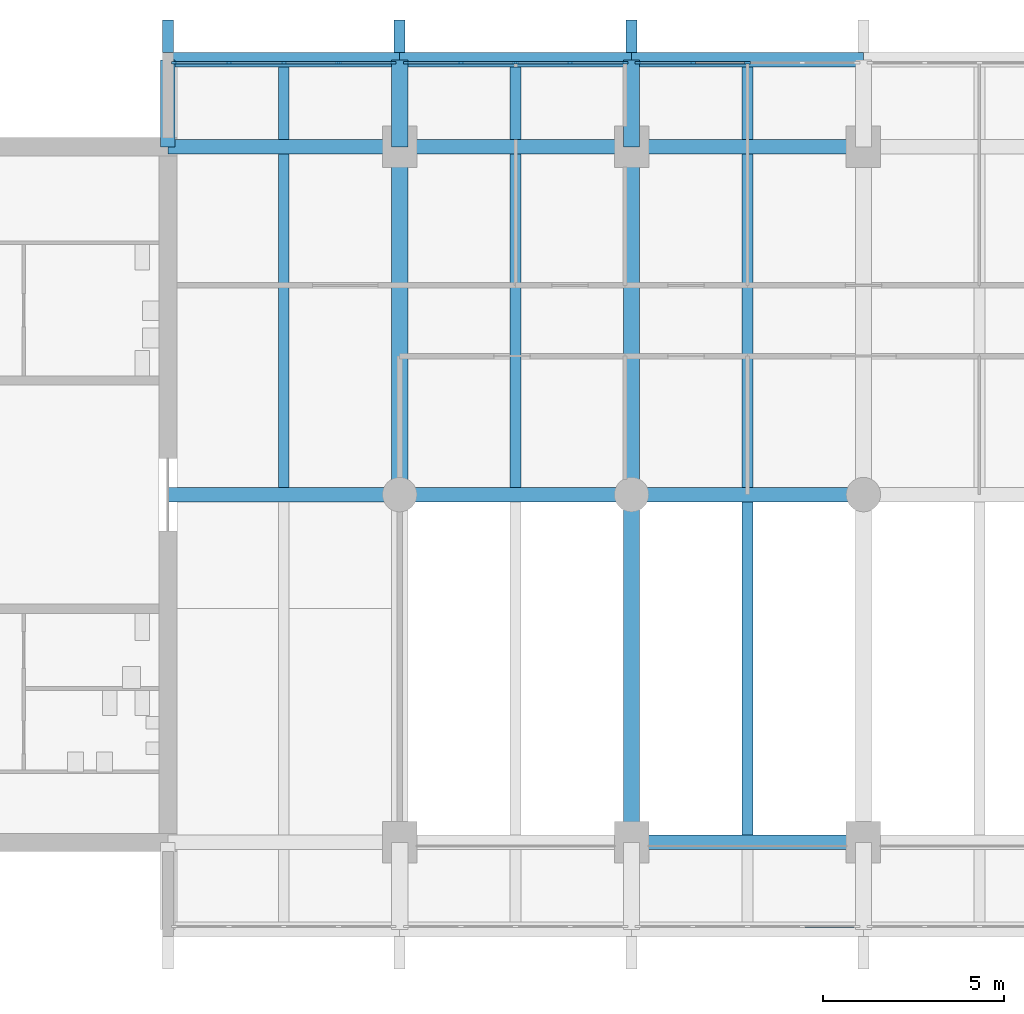
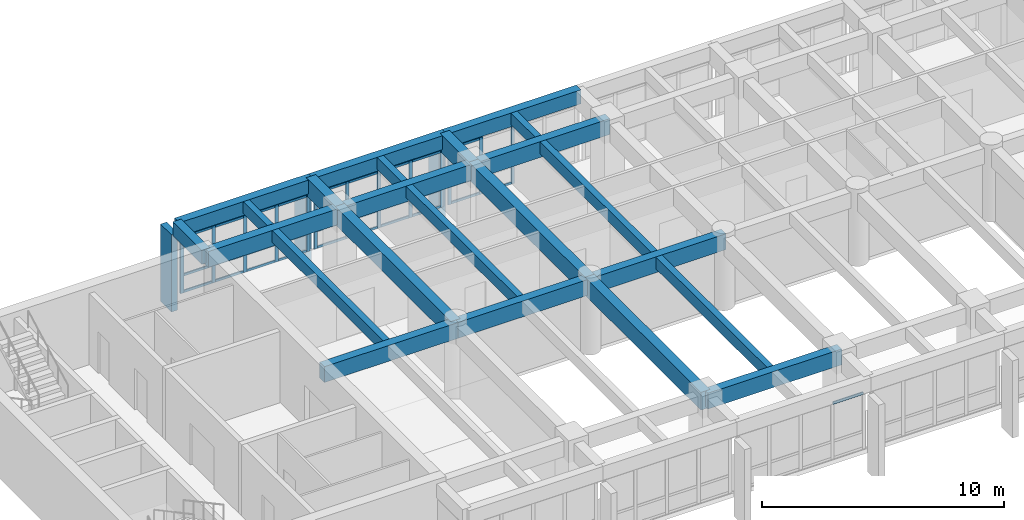
# One storey, part 3 of 15: 45 members, 23 beams, 4 elements without a shape of their own.
"""IFC4 building model written with IfcOpenShell, lengths in metres."""

from ifc_helpers import new_model, si_unit, direction, frame, origin, origin_2d, place, context, subcontext, project, spatial, rectangle, extrude, material, layer, layer_set, material_profile, profile_set, type_object, element, aggregate, save


model = new_model("IFC4")

# Units and contexts
model_context = context("Model", 3, precision=1e-05, world=origin(), true_north=direction((0.0, 1.0)))
body_context = subcontext(model_context, "Body", "Model", "MODEL_VIEW")
ifc_project = project(units=[si_unit("LENGTHUNIT", "METRE"), si_unit("AREAUNIT", "SQUARE_METRE"), si_unit("VOLUMEUNIT", "CUBIC_METRE"), si_unit("PLANEANGLEUNIT", "RADIAN"), si_unit("MASSUNIT", "GRAM", prefix="KILO")], contexts=[model_context])

# Site, building, storey
site_placement = place(None, origin())
site = spatial("IfcSite", under=ifc_project, at=site_placement, CompositionType="ELEMENT")
building_placement = place(site_placement, origin())
building = spatial("IfcBuilding", under=site, at=building_placement, Name="Fogon Plaza Fire Station and Headquarters Tower", CompositionType="ELEMENT")
storey_placement = place(building_placement, frame((0.0, 0.0, 36.60009765625)))
storey = spatial("IfcBuildingStorey", under=building, at=storey_placement, Name="L09", CompositionType="ELEMENT", Elevation=36.60009765625)

# Beams
ifc_material_1 = material(Name="Concrete C40", Category="concrete")
ifc_material_profile_1 = material_profile(ifc_material_1, rectangle(XDim=0.39990234375, YDim=0.699951171875, at=origin_2d()), Name="RC 400x700")
ifc_profile_set_1 = profile_set([ifc_material_profile_1], Name="Concrete C40")
beam_type_1 = type_object("IfcBeamType", Name="BEAM RC 400x700", PredefinedType="BEAM", material=ifc_profile_set_1)
for number, where, z_axis, x_axis, name in (
    (1, (25.60009765625, 55.199951171875, 3.329833984375), (1.0, 0.0, 0.0), (0.0, 1.0, 0.0), "beam-L09-045"),
    (2, (32.0, 55.199951171875, 3.329833984375), (1.0, 0.0, 0.0), (0.0, 1.0, 0.0), "beam-L09-046"),
):
    element("IfcBeam", number, at=place(storey_placement, frame(where, z_axis=z_axis, x_axis=x_axis)), inside=storey, type_object=beam_type_1, Name=name, PredefinedType="BEAM", context=body_context, shape_type="SweptSolid", body=[
        extrude(rectangle(XDim=0.39990234375, YDim=0.699951171875, at=origin_2d()), origin(), (0.0, 0.0, 1.0), 6.39990234375),
    ])
beam_1_placement = place(storey_placement, frame((38.39990234375, 55.199951171875, 3.329833984375), z_axis=(1.0, 0.0, 0.0), x_axis=(0.0, 1.0, 0.0)))
element("IfcBeam", 3, at=beam_1_placement, inside=storey, type_object=beam_type_1, Name="beam-L09-047", PredefinedType="BEAM", context=body_context, shape_type="SweptSolid", body=[
    extrude(rectangle(XDim=0.39990234375, YDim=0.699951171875, at=origin_2d()), origin(), (0.0, 0.0, 1.0), 6.400146484375),
])
ifc_material_2 = material(Name="Concrete C40", Category="concrete")
ifc_material_profile_2 = material_profile(ifc_material_2, rectangle(XDim=0.39990234375, YDim=0.699951171875, at=origin_2d()), Name="RC 400x700")
ifc_profile_set_2 = profile_set([ifc_material_profile_2], Name="Concrete C40")
beam_type_2 = type_object("IfcBeamType", Name="BEAM RC 400x700 SPAN 0.0 TO 3.0 M", PredefinedType="BEAM", material=ifc_profile_set_2)
beam_2_placement = place(storey_placement, frame((25.60009765625, 52.800048828125, 3.329833984375), z_axis=(0.0, 1.0, 0.0), x_axis=(-1.0, 0.0, 0.0)))
element("IfcBeam", 4, at=beam_2_placement, inside=storey, type_object=beam_type_2, Name="beam-L09-052", PredefinedType="BEAM", context=body_context, shape_type="SweptSolid", body=[
    extrude(rectangle(XDim=0.39990234375, YDim=0.699951171875, at=origin_2d()), origin(), (0.0, 0.0, 1.0), 2.39990234375),
])
ifc_material_3 = material(Name="Concrete C40", Category="concrete")
ifc_material_profile_3 = material_profile(ifc_material_3, rectangle(XDim=0.39990234375, YDim=0.800048828125, at=origin_2d()), Name="RC 400x800")
ifc_profile_set_3 = profile_set([ifc_material_profile_3], Name="Concrete C40")
beam_type_3 = type_object("IfcBeamType", Name="BEAM RC 400x800", PredefinedType="BEAM", material=ifc_profile_set_3)
beam_3_placement = place(storey_placement, frame((38.39990234375, 33.60009765625, 3.27978515625), z_axis=(1.0, 0.0, 0.0), x_axis=(0.0, 1.0, 0.0)))
element("IfcBeam", 5, at=beam_3_placement, inside=storey, type_object=beam_type_3, Name="beam-L09-023", PredefinedType="BEAM", context=body_context, shape_type="SweptSolid", body=[
    extrude(rectangle(XDim=0.39990234375, YDim=0.800048828125, at=origin_2d()), origin(), (0.0, 0.0, 1.0), 6.400146484375),
])
for number, where, z_axis, x_axis, name in (
    (6, (25.60009765625, 43.199951171875, 3.27978515625), (1.0, 0.0, 0.0), (0.0, 1.0, 0.0), "beam-L09-027"),
    (7, (32.0, 43.199951171875, 3.27978515625), (1.0, 0.0, 0.0), (0.0, 1.0, 0.0), "beam-L09-028"),
):
    element("IfcBeam", number, at=place(storey_placement, frame(where, z_axis=z_axis, x_axis=x_axis)), inside=storey, type_object=beam_type_3, Name=name, PredefinedType="BEAM", context=body_context, shape_type="SweptSolid", body=[
        extrude(rectangle(XDim=0.39990234375, YDim=0.800048828125, at=origin_2d()), origin(), (0.0, 0.0, 1.0), 6.39990234375),
    ])
beam_4_placement = place(storey_placement, frame((38.39990234375, 43.199951171875, 3.27978515625), z_axis=(1.0, 0.0, 0.0), x_axis=(0.0, 1.0, 0.0)))
element("IfcBeam", 8, at=beam_4_placement, inside=storey, type_object=beam_type_3, Name="beam-L09-029", PredefinedType="BEAM", context=body_context, shape_type="SweptSolid", body=[
    extrude(rectangle(XDim=0.39990234375, YDim=0.800048828125, at=origin_2d()), origin(), (0.0, 0.0, 1.0), 6.400146484375),
])
for number, where, z_axis, x_axis, name in (
    (9, (25.60009765625, 52.800048828125, 3.27978515625), (1.0, 0.0, 0.0), (0.0, 1.0, 0.0), "beam-L09-033"),
    (10, (32.0, 52.800048828125, 3.27978515625), (1.0, 0.0, 0.0), (0.0, 1.0, 0.0), "beam-L09-034"),
):
    element("IfcBeam", number, at=place(storey_placement, frame(where, z_axis=z_axis, x_axis=x_axis)), inside=storey, type_object=beam_type_3, Name=name, PredefinedType="BEAM", context=body_context, shape_type="SweptSolid", body=[
        extrude(rectangle(XDim=0.39990234375, YDim=0.800048828125, at=origin_2d()), origin(), (0.0, 0.0, 1.0), 6.39990234375),
    ])
beam_5_placement = place(storey_placement, frame((38.39990234375, 52.800048828125, 3.27978515625), z_axis=(1.0, 0.0, 0.0), x_axis=(0.0, 1.0, 0.0)))
element("IfcBeam", 11, at=beam_5_placement, inside=storey, type_object=beam_type_3, Name="beam-L09-035", PredefinedType="BEAM", context=body_context, shape_type="SweptSolid", body=[
    extrude(rectangle(XDim=0.39990234375, YDim=0.800048828125, at=origin_2d()), origin(), (0.0, 0.0, 1.0), 6.400146484375),
])
ifc_material_4 = material(Name="Concrete C40", Category="concrete")
ifc_material_profile_4 = material_profile(ifc_material_4, rectangle(XDim=0.449951171875, YDim=0.89990234375, at=origin_2d()), Name="RC 450x900")
ifc_profile_set_4 = profile_set([ifc_material_profile_4], Name="Concrete C40")
beam_type_4 = type_object("IfcBeamType", Name="BEAM RC 450x900", PredefinedType="BEAM", material=ifc_profile_set_4)
beam_6_placement = place(storey_placement, frame((32.0, 43.199951171875, 3.22998046875), z_axis=(0.0, 1.0, 0.0), x_axis=(-1.0, 0.0, 0.0)))
element("IfcBeam", 12, at=beam_6_placement, inside=storey, type_object=beam_type_4, Name="beam-L09-003", PredefinedType="BEAM", context=body_context, shape_type="SweptSolid", body=[
    extrude(rectangle(XDim=0.449951171875, YDim=0.89990234375, at=origin_2d()), origin(), (0.0, 0.0, 1.0), 9.60009765625),
])
beam_7_placement = place(storey_placement, frame((38.39990234375, 33.60009765625, 3.22998046875), z_axis=(0.0, 1.0, 0.0), x_axis=(-1.0, 0.0, 0.0)))
element("IfcBeam", 13, at=beam_7_placement, inside=storey, type_object=beam_type_4, Name="beam-L09-006", PredefinedType="BEAM", context=body_context, shape_type="SweptSolid", body=[
    extrude(rectangle(XDim=0.449951171875, YDim=0.89990234375, at=origin_2d()), origin(), (0.0, 0.0, 1.0), 9.599853515625),
])
beam_8_placement = place(storey_placement, frame((38.39990234375, 43.199951171875, 3.22998046875), z_axis=(0.0, 1.0, 0.0), x_axis=(-1.0, 0.0, 0.0)))
element("IfcBeam", 14, at=beam_8_placement, inside=storey, type_object=beam_type_4, Name="beam-L09-007", PredefinedType="BEAM", context=body_context, shape_type="SweptSolid", body=[
    extrude(rectangle(XDim=0.449951171875, YDim=0.89990234375, at=origin_2d()), origin(), (0.0, 0.0, 1.0), 9.60009765625),
])
ifc_material_5 = material(Name="Concrete C40", Category="concrete")
ifc_material_profile_5 = material_profile(ifc_material_5, rectangle(XDim=0.449951171875, YDim=0.89990234375, at=origin_2d()), Name="RC 450x900")
ifc_profile_set_5 = profile_set([ifc_material_profile_5], Name="Concrete C40")
beam_type_5 = type_object("IfcBeamType", Name="BEAM RC 450x900 SPAN 0.0 TO 3.0 M", PredefinedType="BEAM", material=ifc_profile_set_5)
for number, where, z_axis, x_axis, name in (
    (15, (32.0, 52.800048828125, 3.22998046875), (0.0, 1.0, 0.0), (-1.0, 0.0, 0.0), "beam-L09-004"),
    (16, (38.39990234375, 52.800048828125, 3.22998046875), (0.0, 1.0, 0.0), (-1.0, 0.0, 0.0), "beam-L09-008"),
):
    element("IfcBeam", number, at=place(storey_placement, frame(where, z_axis=z_axis, x_axis=x_axis)), inside=storey, type_object=beam_type_5, Name=name, PredefinedType="BEAM", context=body_context, shape_type="SweptSolid", body=[
        extrude(rectangle(XDim=0.449951171875, YDim=0.89990234375, at=origin_2d()), origin(), (0.0, 0.0, 1.0), 2.39990234375),
    ])

# Curtain wall, members
ifc_material_6 = material(Name="Aluminium and glass", Category="aluminium")
ifc_layer = layer(ifc_material_6, 0.14990234375)
ifc_layer_set = layer_set([ifc_layer], Name="Aluminium and glass")
curtain_wall_type = type_object("IfcCurtainWallType", Name="Unitised Curtain Wall Run 6100x2880", PredefinedType="NOTDEFINED", material=ifc_layer_set)
curtain_wall_1_placement = place(storey_placement, origin())
curtain_wall_1 = element("IfcCurtainWall", 17, at=curtain_wall_1_placement, inside=storey, type_object=curtain_wall_type, Name="CW-6100x2880 N1 L09", PredefinedType="NOTDEFINED")
ifc_material_7 = material(Name="Aluminium", Category="aluminium")
ifc_material_profile_6 = material_profile(ifc_material_7, rectangle(XDim=0.06005859375, YDim=0.159912109375, at=origin_2d()), Name="Curtain Wall Mullion 60x160")
ifc_profile_set_6 = profile_set([ifc_material_profile_6], Name="Aluminium")
member_type_1 = type_object("IfcMemberType", Name="Curtain Wall Mullion 60x160", PredefinedType="MULLION", material=ifc_profile_set_6)
member_1_placement = place(storey_placement, frame((25.780029296875, 55.1201171875, 0.0), z_axis=(0.0, 0.0, 1.0), x_axis=(0.0, 1.0, 0.0)))
member_1 = element("IfcMember", 18, at=member_1_placement, type_object=member_type_1, Name="CW-6100x2880 mullion 1", PredefinedType="MULLION", context=body_context, shape_type="SweptSolid", body=[
    extrude(rectangle(XDim=0.06005859375, YDim=0.159912109375, at=origin_2d()), origin(), (0.0, 0.0, 1.0), 2.8798828125),
])
member_2_placement = place(storey_placement, frame((27.2900390625, 55.1201171875, 0.0), z_axis=(0.0, 0.0, 1.0), x_axis=(0.0, 1.0, 0.0)))
member_2 = element("IfcMember", 19, at=member_2_placement, type_object=member_type_1, Name="CW-6100x2880 mullion 2", PredefinedType="MULLION", context=body_context, shape_type="SweptSolid", body=[
    extrude(rectangle(XDim=0.06005859375, YDim=0.159912109375, at=origin_2d()), origin(), (0.0, 0.0, 1.0), 2.8798828125),
])
member_3_placement = place(storey_placement, frame((28.800048828125, 55.1201171875, 0.0), z_axis=(0.0, 0.0, 1.0), x_axis=(0.0, 1.0, 0.0)))
member_3 = element("IfcMember", 20, at=member_3_placement, type_object=member_type_1, Name="CW-6100x2880 mullion 3", PredefinedType="MULLION", context=body_context, shape_type="SweptSolid", body=[
    extrude(rectangle(XDim=0.06005859375, YDim=0.159912109375, at=origin_2d()), origin(), (0.0, 0.0, 1.0), 2.8798828125),
])
member_4_placement = place(storey_placement, frame((30.31005859375, 55.1201171875, 0.0), z_axis=(0.0, 0.0, 1.0), x_axis=(0.0, 1.0, 0.0)))
member_4 = element("IfcMember", 21, at=member_4_placement, type_object=member_type_1, Name="CW-6100x2880 mullion 4", PredefinedType="MULLION", context=body_context, shape_type="SweptSolid", body=[
    extrude(rectangle(XDim=0.06005859375, YDim=0.159912109375, at=origin_2d()), origin(), (0.0, 0.0, 1.0), 2.8798828125),
])
member_5_placement = place(storey_placement, frame((31.820068359375, 55.1201171875, 0.0), z_axis=(0.0, 0.0, 1.0), x_axis=(0.0, 1.0, 0.0)))
member_5 = element("IfcMember", 22, at=member_5_placement, type_object=member_type_1, Name="CW-6100x2880 mullion 5", PredefinedType="MULLION", context=body_context, shape_type="SweptSolid", body=[
    extrude(rectangle(XDim=0.06005859375, YDim=0.159912109375, at=origin_2d()), origin(), (0.0, 0.0, 1.0), 2.8798828125),
])

curtain_wall_2_placement = place(storey_placement, origin())
curtain_wall_2 = element("IfcCurtainWall", 23, at=curtain_wall_2_placement, inside=storey, type_object=curtain_wall_type, Name="CW-6100x2880 N2 L09", PredefinedType="NOTDEFINED")
member_6_placement = place(storey_placement, frame((32.179931640625, 55.1201171875, 0.0), z_axis=(0.0, 0.0, 1.0), x_axis=(0.0, 1.0, 0.0)))
member_6 = element("IfcMember", 24, at=member_6_placement, type_object=member_type_1, Name="CW-6100x2880 mullion 1", PredefinedType="MULLION", context=body_context, shape_type="SweptSolid", body=[
    extrude(rectangle(XDim=0.06005859375, YDim=0.159912109375, at=origin_2d()), origin(), (0.0, 0.0, 1.0), 2.8798828125),
])
member_7_placement = place(storey_placement, frame((33.68994140625, 55.1201171875, 0.0), z_axis=(0.0, 0.0, 1.0), x_axis=(0.0, 1.0, 0.0)))
member_7 = element("IfcMember", 25, at=member_7_placement, type_object=member_type_1, Name="CW-6100x2880 mullion 2", PredefinedType="MULLION", context=body_context, shape_type="SweptSolid", body=[
    extrude(rectangle(XDim=0.06005859375, YDim=0.159912109375, at=origin_2d()), origin(), (0.0, 0.0, 1.0), 2.8798828125),
])
member_8_placement = place(storey_placement, frame((35.199951171875, 55.1201171875, 0.0), z_axis=(0.0, 0.0, 1.0), x_axis=(0.0, 1.0, 0.0)))
member_8 = element("IfcMember", 26, at=member_8_placement, type_object=member_type_1, Name="CW-6100x2880 mullion 3", PredefinedType="MULLION", context=body_context, shape_type="SweptSolid", body=[
    extrude(rectangle(XDim=0.06005859375, YDim=0.159912109375, at=origin_2d()), origin(), (0.0, 0.0, 1.0), 2.8798828125),
])
member_9_placement = place(storey_placement, frame((36.7099609375, 55.1201171875, 0.0), z_axis=(0.0, 0.0, 1.0), x_axis=(0.0, 1.0, 0.0)))
member_9 = element("IfcMember", 27, at=member_9_placement, type_object=member_type_1, Name="CW-6100x2880 mullion 4", PredefinedType="MULLION", context=body_context, shape_type="SweptSolid", body=[
    extrude(rectangle(XDim=0.06005859375, YDim=0.159912109375, at=origin_2d()), origin(), (0.0, 0.0, 1.0), 2.8798828125),
])
member_10_placement = place(storey_placement, frame((38.219970703125, 55.1201171875, 0.0), z_axis=(0.0, 0.0, 1.0), x_axis=(0.0, 1.0, 0.0)))
member_10 = element("IfcMember", 28, at=member_10_placement, type_object=member_type_1, Name="CW-6100x2880 mullion 5", PredefinedType="MULLION", context=body_context, shape_type="SweptSolid", body=[
    extrude(rectangle(XDim=0.06005859375, YDim=0.159912109375, at=origin_2d()), origin(), (0.0, 0.0, 1.0), 2.8798828125),
])

curtain_wall_3_placement = place(storey_placement, origin())
curtain_wall_3 = element("IfcCurtainWall", 29, at=curtain_wall_3_placement, inside=storey, type_object=curtain_wall_type, Name="CW-6100x2880 N3 L09", PredefinedType="NOTDEFINED")
member_11_placement = place(storey_placement, frame((38.580078125, 55.1201171875, 0.0), z_axis=(0.0, 0.0, 1.0), x_axis=(0.0, 1.0, 0.0)))
member_11 = element("IfcMember", 30, at=member_11_placement, type_object=member_type_1, Name="CW-6100x2880 mullion 1", PredefinedType="MULLION", context=body_context, shape_type="SweptSolid", body=[
    extrude(rectangle(XDim=0.06005859375, YDim=0.159912109375, at=origin_2d()), origin(), (0.0, 0.0, 1.0), 2.8798828125),
])
member_12_placement = place(storey_placement, frame((40.090087890625, 55.1201171875, 0.0), z_axis=(0.0, 0.0, 1.0), x_axis=(0.0, 1.0, 0.0)))
member_12 = element("IfcMember", 31, at=member_12_placement, type_object=member_type_1, Name="CW-6100x2880 mullion 2", PredefinedType="MULLION", context=body_context, shape_type="SweptSolid", body=[
    extrude(rectangle(XDim=0.06005859375, YDim=0.159912109375, at=origin_2d()), origin(), (0.0, 0.0, 1.0), 2.8798828125),
])
member_13_placement = place(storey_placement, frame((41.60009765625, 55.1201171875, 0.0), z_axis=(0.0, 0.0, 1.0), x_axis=(0.0, 1.0, 0.0)))
member_13 = element("IfcMember", 32, at=member_13_placement, type_object=member_type_1, Name="CW-6100x2880 mullion 3", PredefinedType="MULLION", context=body_context, shape_type="SweptSolid", body=[
    extrude(rectangle(XDim=0.06005859375, YDim=0.159912109375, at=origin_2d()), origin(), (0.0, 0.0, 1.0), 2.8798828125),
])

# Curtain wall, member
curtain_wall_4_placement = place(storey_placement, origin())
curtain_wall_4 = element("IfcCurtainWall", 33, at=curtain_wall_4_placement, inside=storey, type_object=curtain_wall_type, Name="CW-6100x2880 S3 L09", PredefinedType="NOTDEFINED")
ifc_material_8 = material(Name="Aluminium", Category="aluminium")
ifc_material_profile_7 = material_profile(ifc_material_8, rectangle(XDim=0.06005859375, YDim=0.1201171875, at=origin_2d()), Name="Curtain Wall Transom 60x120")
ifc_profile_set_7 = profile_set([ifc_material_profile_7], Name="Aluminium")
member_type_2 = type_object("IfcMemberType", Name="Curtain Wall Transom 60x120", PredefinedType="USERDEFINED", material=ifc_profile_set_7)
member_14_placement = place(storey_placement, frame((43.139892578125, 31.280029296875, 2.81982421875), z_axis=(1.0, 0.0, 0.0), x_axis=(0.0, 1.0, 0.0)))
member_14 = element("IfcMember", 34, at=member_14_placement, type_object=member_type_2, Name="CW-6100x2880 transom 4.3", ObjectType="TRANSOM", PredefinedType="USERDEFINED", context=body_context, shape_type="SweptSolid", body=[
    extrude(rectangle(XDim=0.06005859375, YDim=0.1201171875, at=origin_2d()), origin(), (0.0, 0.0, 1.0), 1.4501953125),
])
aggregate(curtain_wall_4, [member_14])

# Member
member_15_placement = place(storey_placement, frame((25.81005859375, 55.1201171875, 0.059814453125), z_axis=(1.0, 0.0, 0.0), x_axis=(0.0, 1.0, 0.0)))
member_15 = element("IfcMember", 35, at=member_15_placement, type_object=member_type_2, Name="CW-6100x2880 transom 1.1", ObjectType="TRANSOM", PredefinedType="USERDEFINED", context=body_context, shape_type="SweptSolid", body=[
    extrude(rectangle(XDim=0.06005859375, YDim=0.1201171875, at=origin_2d()), origin(), (0.0, 0.0, 1.0), 1.449951171875),
])

member_16_placement = place(storey_placement, frame((25.81005859375, 55.1201171875, 0.89990234375), z_axis=(1.0, 0.0, 0.0), x_axis=(0.0, 1.0, 0.0)))
member_16 = element("IfcMember", 36, at=member_16_placement, type_object=member_type_2, Name="CW-6100x2880 transom 1.2", ObjectType="TRANSOM", PredefinedType="USERDEFINED", context=body_context, shape_type="SweptSolid", body=[
    extrude(rectangle(XDim=0.06005859375, YDim=0.1201171875, at=origin_2d()), origin(), (0.0, 0.0, 1.0), 1.449951171875),
])

member_17_placement = place(storey_placement, frame((25.81005859375, 55.1201171875, 2.81982421875), z_axis=(1.0, 0.0, 0.0), x_axis=(0.0, 1.0, 0.0)))
member_17 = element("IfcMember", 37, at=member_17_placement, type_object=member_type_2, Name="CW-6100x2880 transom 1.3", ObjectType="TRANSOM", PredefinedType="USERDEFINED", context=body_context, shape_type="SweptSolid", body=[
    extrude(rectangle(XDim=0.06005859375, YDim=0.1201171875, at=origin_2d()), origin(), (0.0, 0.0, 1.0), 1.449951171875),
])

member_18_placement = place(storey_placement, frame((27.320068359375, 55.1201171875, 0.059814453125), z_axis=(1.0, 0.0, 0.0), x_axis=(0.0, 1.0, 0.0)))
member_18 = element("IfcMember", 38, at=member_18_placement, type_object=member_type_2, Name="CW-6100x2880 transom 2.1", ObjectType="TRANSOM", PredefinedType="USERDEFINED", context=body_context, shape_type="SweptSolid", body=[
    extrude(rectangle(XDim=0.06005859375, YDim=0.1201171875, at=origin_2d()), origin(), (0.0, 0.0, 1.0), 1.449951171875),
])

member_19_placement = place(storey_placement, frame((27.320068359375, 55.1201171875, 0.89990234375), z_axis=(1.0, 0.0, 0.0), x_axis=(0.0, 1.0, 0.0)))
member_19 = element("IfcMember", 39, at=member_19_placement, type_object=member_type_2, Name="CW-6100x2880 transom 2.2", ObjectType="TRANSOM", PredefinedType="USERDEFINED", context=body_context, shape_type="SweptSolid", body=[
    extrude(rectangle(XDim=0.06005859375, YDim=0.1201171875, at=origin_2d()), origin(), (0.0, 0.0, 1.0), 1.449951171875),
])

member_20_placement = place(storey_placement, frame((27.320068359375, 55.1201171875, 2.81982421875), z_axis=(1.0, 0.0, 0.0), x_axis=(0.0, 1.0, 0.0)))
member_20 = element("IfcMember", 40, at=member_20_placement, type_object=member_type_2, Name="CW-6100x2880 transom 2.3", ObjectType="TRANSOM", PredefinedType="USERDEFINED", context=body_context, shape_type="SweptSolid", body=[
    extrude(rectangle(XDim=0.06005859375, YDim=0.1201171875, at=origin_2d()), origin(), (0.0, 0.0, 1.0), 1.449951171875),
])

member_21_placement = place(storey_placement, frame((28.830078125, 55.1201171875, 0.059814453125), z_axis=(1.0, 0.0, 0.0), x_axis=(0.0, 1.0, 0.0)))
member_21 = element("IfcMember", 41, at=member_21_placement, type_object=member_type_2, Name="CW-6100x2880 transom 3.1", ObjectType="TRANSOM", PredefinedType="USERDEFINED", context=body_context, shape_type="SweptSolid", body=[
    extrude(rectangle(XDim=0.06005859375, YDim=0.1201171875, at=origin_2d()), origin(), (0.0, 0.0, 1.0), 1.449951171875),
])

member_22_placement = place(storey_placement, frame((28.830078125, 55.1201171875, 0.89990234375), z_axis=(1.0, 0.0, 0.0), x_axis=(0.0, 1.0, 0.0)))
member_22 = element("IfcMember", 42, at=member_22_placement, type_object=member_type_2, Name="CW-6100x2880 transom 3.2", ObjectType="TRANSOM", PredefinedType="USERDEFINED", context=body_context, shape_type="SweptSolid", body=[
    extrude(rectangle(XDim=0.06005859375, YDim=0.1201171875, at=origin_2d()), origin(), (0.0, 0.0, 1.0), 1.449951171875),
])

member_23_placement = place(storey_placement, frame((28.830078125, 55.1201171875, 2.81982421875), z_axis=(1.0, 0.0, 0.0), x_axis=(0.0, 1.0, 0.0)))
member_23 = element("IfcMember", 43, at=member_23_placement, type_object=member_type_2, Name="CW-6100x2880 transom 3.3", ObjectType="TRANSOM", PredefinedType="USERDEFINED", context=body_context, shape_type="SweptSolid", body=[
    extrude(rectangle(XDim=0.06005859375, YDim=0.1201171875, at=origin_2d()), origin(), (0.0, 0.0, 1.0), 1.449951171875),
])

member_24_placement = place(storey_placement, frame((30.340087890625, 55.1201171875, 0.059814453125), z_axis=(1.0, 0.0, 0.0), x_axis=(0.0, 1.0, 0.0)))
member_24 = element("IfcMember", 44, at=member_24_placement, type_object=member_type_2, Name="CW-6100x2880 transom 4.1", ObjectType="TRANSOM", PredefinedType="USERDEFINED", context=body_context, shape_type="SweptSolid", body=[
    extrude(rectangle(XDim=0.06005859375, YDim=0.1201171875, at=origin_2d()), origin(), (0.0, 0.0, 1.0), 1.449951171875),
])

member_25_placement = place(storey_placement, frame((30.340087890625, 55.1201171875, 0.89990234375), z_axis=(1.0, 0.0, 0.0), x_axis=(0.0, 1.0, 0.0)))
member_25 = element("IfcMember", 45, at=member_25_placement, type_object=member_type_2, Name="CW-6100x2880 transom 4.2", ObjectType="TRANSOM", PredefinedType="USERDEFINED", context=body_context, shape_type="SweptSolid", body=[
    extrude(rectangle(XDim=0.06005859375, YDim=0.1201171875, at=origin_2d()), origin(), (0.0, 0.0, 1.0), 1.449951171875),
])

member_26_placement = place(storey_placement, frame((30.340087890625, 55.1201171875, 2.81982421875), z_axis=(1.0, 0.0, 0.0), x_axis=(0.0, 1.0, 0.0)))
member_26 = element("IfcMember", 46, at=member_26_placement, type_object=member_type_2, Name="CW-6100x2880 transom 4.3", ObjectType="TRANSOM", PredefinedType="USERDEFINED", context=body_context, shape_type="SweptSolid", body=[
    extrude(rectangle(XDim=0.06005859375, YDim=0.1201171875, at=origin_2d()), origin(), (0.0, 0.0, 1.0), 1.449951171875),
])

aggregate(curtain_wall_1, [member_1, member_2, member_3, member_4, member_5, member_15, member_16, member_17, member_18, member_19, member_20, member_21, member_22, member_23, member_24, member_25, member_26])

member_27_placement = place(storey_placement, frame((32.2099609375, 55.1201171875, 0.059814453125), z_axis=(1.0, 0.0, 0.0), x_axis=(0.0, 1.0, 0.0)))
member_27 = element("IfcMember", 47, at=member_27_placement, type_object=member_type_2, Name="CW-6100x2880 transom 1.1", ObjectType="TRANSOM", PredefinedType="USERDEFINED", context=body_context, shape_type="SweptSolid", body=[
    extrude(rectangle(XDim=0.06005859375, YDim=0.1201171875, at=origin_2d()), origin(), (0.0, 0.0, 1.0), 1.449951171875),
])

member_28_placement = place(storey_placement, frame((32.2099609375, 55.1201171875, 0.89990234375), z_axis=(1.0, 0.0, 0.0), x_axis=(0.0, 1.0, 0.0)))
member_28 = element("IfcMember", 48, at=member_28_placement, type_object=member_type_2, Name="CW-6100x2880 transom 1.2", ObjectType="TRANSOM", PredefinedType="USERDEFINED", context=body_context, shape_type="SweptSolid", body=[
    extrude(rectangle(XDim=0.06005859375, YDim=0.1201171875, at=origin_2d()), origin(), (0.0, 0.0, 1.0), 1.449951171875),
])

member_29_placement = place(storey_placement, frame((32.2099609375, 55.1201171875, 2.81982421875), z_axis=(1.0, 0.0, 0.0), x_axis=(0.0, 1.0, 0.0)))
member_29 = element("IfcMember", 49, at=member_29_placement, type_object=member_type_2, Name="CW-6100x2880 transom 1.3", ObjectType="TRANSOM", PredefinedType="USERDEFINED", context=body_context, shape_type="SweptSolid", body=[
    extrude(rectangle(XDim=0.06005859375, YDim=0.1201171875, at=origin_2d()), origin(), (0.0, 0.0, 1.0), 1.449951171875),
])

member_30_placement = place(storey_placement, frame((33.719970703125, 55.1201171875, 0.059814453125), z_axis=(1.0, 0.0, 0.0), x_axis=(0.0, 1.0, 0.0)))
member_30 = element("IfcMember", 50, at=member_30_placement, type_object=member_type_2, Name="CW-6100x2880 transom 2.1", ObjectType="TRANSOM", PredefinedType="USERDEFINED", context=body_context, shape_type="SweptSolid", body=[
    extrude(rectangle(XDim=0.06005859375, YDim=0.1201171875, at=origin_2d()), origin(), (0.0, 0.0, 1.0), 1.449951171875),
])

member_31_placement = place(storey_placement, frame((33.719970703125, 55.1201171875, 0.89990234375), z_axis=(1.0, 0.0, 0.0), x_axis=(0.0, 1.0, 0.0)))
member_31 = element("IfcMember", 51, at=member_31_placement, type_object=member_type_2, Name="CW-6100x2880 transom 2.2", ObjectType="TRANSOM", PredefinedType="USERDEFINED", context=body_context, shape_type="SweptSolid", body=[
    extrude(rectangle(XDim=0.06005859375, YDim=0.1201171875, at=origin_2d()), origin(), (0.0, 0.0, 1.0), 1.449951171875),
])

member_32_placement = place(storey_placement, frame((33.719970703125, 55.1201171875, 2.81982421875), z_axis=(1.0, 0.0, 0.0), x_axis=(0.0, 1.0, 0.0)))
member_32 = element("IfcMember", 52, at=member_32_placement, type_object=member_type_2, Name="CW-6100x2880 transom 2.3", ObjectType="TRANSOM", PredefinedType="USERDEFINED", context=body_context, shape_type="SweptSolid", body=[
    extrude(rectangle(XDim=0.06005859375, YDim=0.1201171875, at=origin_2d()), origin(), (0.0, 0.0, 1.0), 1.449951171875),
])

member_33_placement = place(storey_placement, frame((35.22998046875, 55.1201171875, 0.059814453125), z_axis=(1.0, 0.0, 0.0), x_axis=(0.0, 1.0, 0.0)))
member_33 = element("IfcMember", 53, at=member_33_placement, type_object=member_type_2, Name="CW-6100x2880 transom 3.1", ObjectType="TRANSOM", PredefinedType="USERDEFINED", context=body_context, shape_type="SweptSolid", body=[
    extrude(rectangle(XDim=0.06005859375, YDim=0.1201171875, at=origin_2d()), origin(), (0.0, 0.0, 1.0), 1.449951171875),
])

member_34_placement = place(storey_placement, frame((35.22998046875, 55.1201171875, 0.89990234375), z_axis=(1.0, 0.0, 0.0), x_axis=(0.0, 1.0, 0.0)))
member_34 = element("IfcMember", 54, at=member_34_placement, type_object=member_type_2, Name="CW-6100x2880 transom 3.2", ObjectType="TRANSOM", PredefinedType="USERDEFINED", context=body_context, shape_type="SweptSolid", body=[
    extrude(rectangle(XDim=0.06005859375, YDim=0.1201171875, at=origin_2d()), origin(), (0.0, 0.0, 1.0), 1.449951171875),
])

member_35_placement = place(storey_placement, frame((35.22998046875, 55.1201171875, 2.81982421875), z_axis=(1.0, 0.0, 0.0), x_axis=(0.0, 1.0, 0.0)))
member_35 = element("IfcMember", 55, at=member_35_placement, type_object=member_type_2, Name="CW-6100x2880 transom 3.3", ObjectType="TRANSOM", PredefinedType="USERDEFINED", context=body_context, shape_type="SweptSolid", body=[
    extrude(rectangle(XDim=0.06005859375, YDim=0.1201171875, at=origin_2d()), origin(), (0.0, 0.0, 1.0), 1.449951171875),
])

member_36_placement = place(storey_placement, frame((36.739990234375, 55.1201171875, 0.059814453125), z_axis=(1.0, 0.0, 0.0), x_axis=(0.0, 1.0, 0.0)))
member_36 = element("IfcMember", 56, at=member_36_placement, type_object=member_type_2, Name="CW-6100x2880 transom 4.1", ObjectType="TRANSOM", PredefinedType="USERDEFINED", context=body_context, shape_type="SweptSolid", body=[
    extrude(rectangle(XDim=0.06005859375, YDim=0.1201171875, at=origin_2d()), origin(), (0.0, 0.0, 1.0), 1.449951171875),
])

member_37_placement = place(storey_placement, frame((36.739990234375, 55.1201171875, 0.89990234375), z_axis=(1.0, 0.0, 0.0), x_axis=(0.0, 1.0, 0.0)))
member_37 = element("IfcMember", 57, at=member_37_placement, type_object=member_type_2, Name="CW-6100x2880 transom 4.2", ObjectType="TRANSOM", PredefinedType="USERDEFINED", context=body_context, shape_type="SweptSolid", body=[
    extrude(rectangle(XDim=0.06005859375, YDim=0.1201171875, at=origin_2d()), origin(), (0.0, 0.0, 1.0), 1.449951171875),
])

member_38_placement = place(storey_placement, frame((36.739990234375, 55.1201171875, 2.81982421875), z_axis=(1.0, 0.0, 0.0), x_axis=(0.0, 1.0, 0.0)))
member_38 = element("IfcMember", 58, at=member_38_placement, type_object=member_type_2, Name="CW-6100x2880 transom 4.3", ObjectType="TRANSOM", PredefinedType="USERDEFINED", context=body_context, shape_type="SweptSolid", body=[
    extrude(rectangle(XDim=0.06005859375, YDim=0.1201171875, at=origin_2d()), origin(), (0.0, 0.0, 1.0), 1.449951171875),
])

aggregate(curtain_wall_2, [member_6, member_7, member_8, member_9, member_10, member_27, member_28, member_29, member_30, member_31, member_32, member_33, member_34, member_35, member_36, member_37, member_38])

member_39_placement = place(storey_placement, frame((38.610107421875, 55.1201171875, 0.059814453125), z_axis=(1.0, 0.0, 0.0), x_axis=(0.0, 1.0, 0.0)))
member_39 = element("IfcMember", 59, at=member_39_placement, type_object=member_type_2, Name="CW-6100x2880 transom 1.1", ObjectType="TRANSOM", PredefinedType="USERDEFINED", context=body_context, shape_type="SweptSolid", body=[
    extrude(rectangle(XDim=0.06005859375, YDim=0.1201171875, at=origin_2d()), origin(), (0.0, 0.0, 1.0), 1.449951171875),
])

member_40_placement = place(storey_placement, frame((38.610107421875, 55.1201171875, 0.89990234375), z_axis=(1.0, 0.0, 0.0), x_axis=(0.0, 1.0, 0.0)))
member_40 = element("IfcMember", 60, at=member_40_placement, type_object=member_type_2, Name="CW-6100x2880 transom 1.2", ObjectType="TRANSOM", PredefinedType="USERDEFINED", context=body_context, shape_type="SweptSolid", body=[
    extrude(rectangle(XDim=0.06005859375, YDim=0.1201171875, at=origin_2d()), origin(), (0.0, 0.0, 1.0), 1.449951171875),
])

member_41_placement = place(storey_placement, frame((38.610107421875, 55.1201171875, 2.81982421875), z_axis=(1.0, 0.0, 0.0), x_axis=(0.0, 1.0, 0.0)))
member_41 = element("IfcMember", 61, at=member_41_placement, type_object=member_type_2, Name="CW-6100x2880 transom 1.3", ObjectType="TRANSOM", PredefinedType="USERDEFINED", context=body_context, shape_type="SweptSolid", body=[
    extrude(rectangle(XDim=0.06005859375, YDim=0.1201171875, at=origin_2d()), origin(), (0.0, 0.0, 1.0), 1.449951171875),
])

member_42_placement = place(storey_placement, frame((40.1201171875, 55.1201171875, 0.059814453125), z_axis=(1.0, 0.0, 0.0), x_axis=(0.0, 1.0, 0.0)))
member_42 = element("IfcMember", 62, at=member_42_placement, type_object=member_type_2, Name="CW-6100x2880 transom 2.1", ObjectType="TRANSOM", PredefinedType="USERDEFINED", context=body_context, shape_type="SweptSolid", body=[
    extrude(rectangle(XDim=0.06005859375, YDim=0.1201171875, at=origin_2d()), origin(), (0.0, 0.0, 1.0), 1.449951171875),
])

aggregate(curtain_wall_3, [member_11, member_12, member_13, member_39, member_40, member_41, member_42])

# Beams
ifc_material_9 = material(Name="Concrete C40", Category="concrete")
ifc_material_profile_8 = material_profile(ifc_material_9, rectangle(XDim=0.300048828125, YDim=0.60009765625, at=origin_2d()), Name="RC 300x600")
ifc_profile_set_8 = profile_set([ifc_material_profile_8], Name="Concrete C40")
beam_type_6 = type_object("IfcBeamType", Name="JOIST RC 300x600", PredefinedType="JOIST", material=ifc_profile_set_8)
for number, where, z_axis, x_axis, name in (
    (63, (28.800048828125, 43.39990234375, 3.3798828125), (0.0, 1.0, 0.0), (-1.0, 0.0, 0.0), "beam-L09-057"),
    (64, (35.199951171875, 43.39990234375, 3.3798828125), (0.0, 1.0, 0.0), (-1.0, 0.0, 0.0), "beam-L09-061"),
):
    element("IfcBeam", number, at=place(storey_placement, frame(where, z_axis=z_axis, x_axis=x_axis)), inside=storey, type_object=beam_type_6, Name=name, PredefinedType="JOIST", context=body_context, shape_type="SweptSolid", body=[
        extrude(rectangle(XDim=0.300048828125, YDim=0.60009765625, at=origin_2d()), origin(), (0.0, 0.0, 1.0), 9.2001953125),
    ])
beam_9_placement = place(storey_placement, frame((41.60009765625, 33.800048828125, 3.3798828125), z_axis=(0.0, 1.0, 0.0), x_axis=(-1.0, 0.0, 0.0)))
element("IfcBeam", 65, at=beam_9_placement, inside=storey, type_object=beam_type_6, Name="beam-L09-064", PredefinedType="JOIST", context=body_context, shape_type="SweptSolid", body=[
    extrude(rectangle(XDim=0.300048828125, YDim=0.60009765625, at=origin_2d()), origin(), (0.0, 0.0, 1.0), 9.199951171875),
])
beam_10_placement = place(storey_placement, frame((41.60009765625, 43.39990234375, 3.3798828125), z_axis=(0.0, 1.0, 0.0), x_axis=(-1.0, 0.0, 0.0)))
element("IfcBeam", 66, at=beam_10_placement, inside=storey, type_object=beam_type_6, Name="beam-L09-065", PredefinedType="JOIST", context=body_context, shape_type="SweptSolid", body=[
    extrude(rectangle(XDim=0.300048828125, YDim=0.60009765625, at=origin_2d()), origin(), (0.0, 0.0, 1.0), 9.2001953125),
])
ifc_material_10 = material(Name="Concrete C40", Category="concrete")
ifc_material_profile_9 = material_profile(ifc_material_10, rectangle(XDim=0.300048828125, YDim=0.60009765625, at=origin_2d()), Name="RC 300x600")
ifc_profile_set_9 = profile_set([ifc_material_profile_9], Name="Concrete C40")
beam_type_7 = type_object("IfcBeamType", Name="JOIST RC 300x600 SPAN 0.0 TO 3.0 M", PredefinedType="JOIST", material=ifc_profile_set_9)
for number, where, z_axis, x_axis, name in (
    (67, (28.800048828125, 53.0, 3.3798828125), (0.0, 1.0, 0.0), (-1.0, 0.0, 0.0), "beam-L09-058"),
    (68, (35.199951171875, 53.0, 3.3798828125), (0.0, 1.0, 0.0), (-1.0, 0.0, 0.0), "beam-L09-062"),
    (69, (41.60009765625, 53.0, 3.3798828125), (0.0, 1.0, 0.0), (-1.0, 0.0, 0.0), "beam-L09-066"),
):
    element("IfcBeam", number, at=place(storey_placement, frame(where, z_axis=z_axis, x_axis=x_axis)), inside=storey, type_object=beam_type_7, Name=name, PredefinedType="JOIST", context=body_context, shape_type="SweptSolid", body=[
        extrude(rectangle(XDim=0.300048828125, YDim=0.60009765625, at=origin_2d()), origin(), (0.0, 0.0, 1.0), 2.0),
    ])

# Members
ifc_material_11 = material(Name="Concrete C40 precast", Category="concrete")
ifc_material_profile_10 = material_profile(ifc_material_11, rectangle(XDim=0.300048828125, YDim=0.89990234375, at=origin_2d()), Name="Precast Concrete Post 300x900")
ifc_profile_set_10 = profile_set([ifc_material_profile_10], Name="Concrete C40 precast")
member_type_3 = type_object("IfcMemberType", Name="Precast Concrete Post 300x900", PredefinedType="POST", material=ifc_profile_set_10)
for number, where, z_axis, x_axis, name in (
    (70, (25.60009765625, 55.85009765625, -1.02001953125), (0.0, 0.0, 1.0), (1.0, 0.0, 0.0), "Precast Post N L09"),
    (71, (32.0, 55.85009765625, -1.02001953125), (0.0, 0.0, 1.0), (1.0, 0.0, 0.0), "Precast Post N L09"),
    (72, (38.39990234375, 55.85009765625, -1.02001953125), (0.0, 0.0, 1.0), (1.0, 0.0, 0.0), "Precast Post N L09"),
):
    element("IfcMember", number, at=place(storey_placement, frame(where, z_axis=z_axis, x_axis=x_axis)), inside=storey, type_object=member_type_3, Name=name, PredefinedType="POST", context=body_context, shape_type="SweptSolid", body=[
        extrude(rectangle(XDim=0.300048828125, YDim=0.89990234375, at=origin_2d()), origin(), (0.0, 0.0, 1.0), 3.89990234375),
    ])

save(model, "model.ifc")
